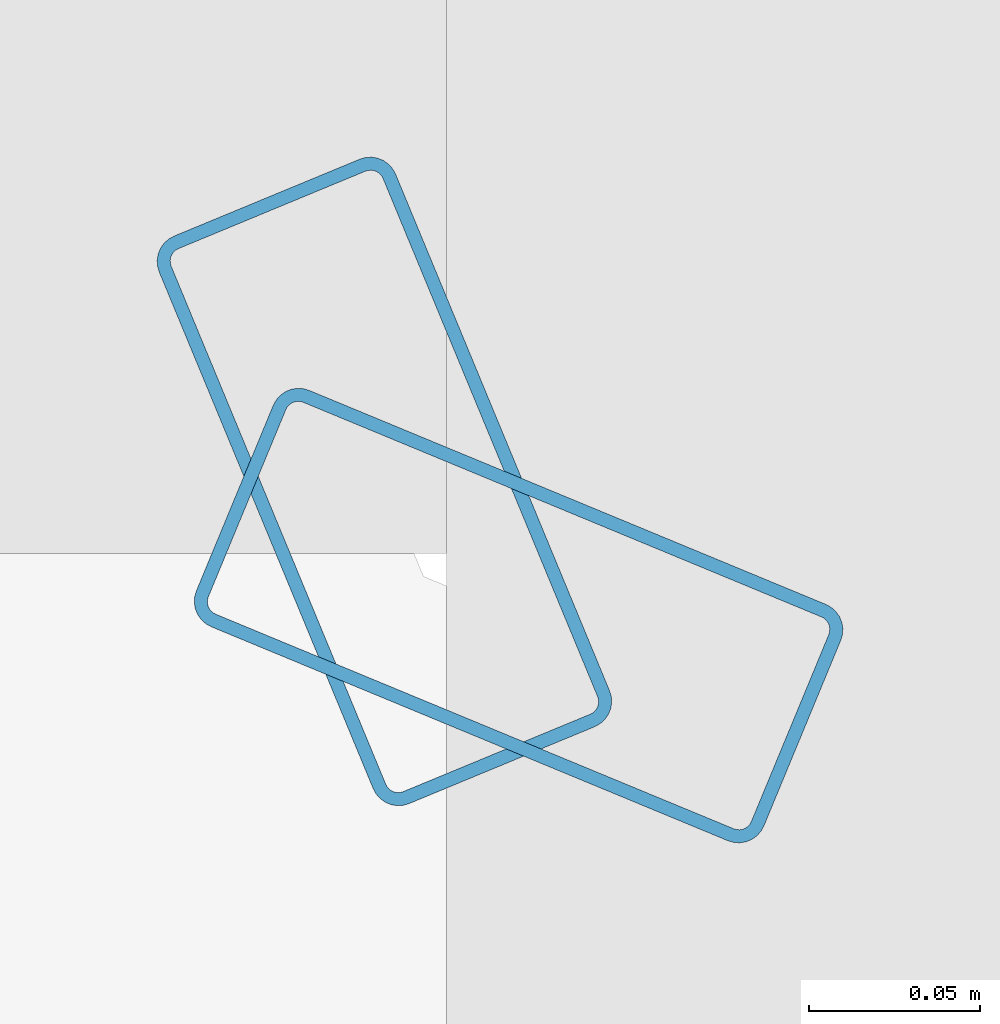
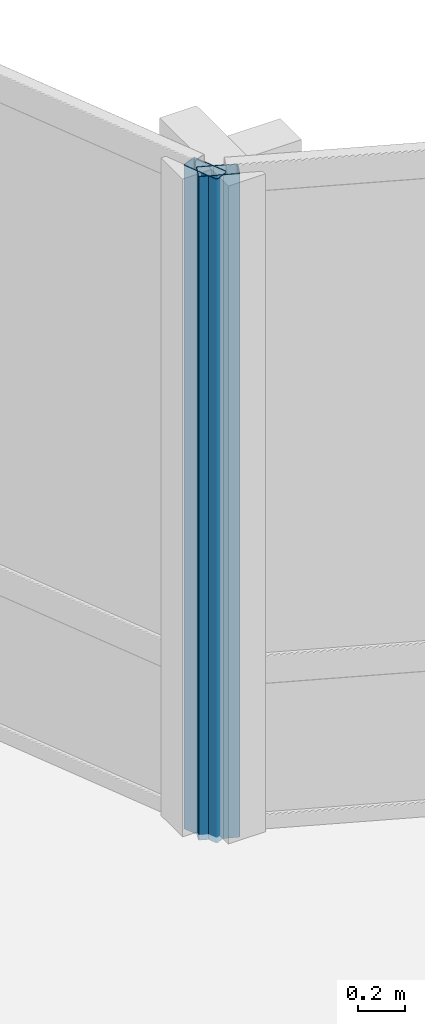
# One storey, part 8 of 28: 2 members, 2 elements without a shape of their own.
"""IFC4 building model written with IfcOpenShell, lengths in metres."""

from ifc_helpers import new_model, si_unit, direction, frame, origin, origin_2d, place, context, subcontext, project, spatial, hollow_rectangle, extrude, material, layer, layer_set, material_profile, profile_set, type_object, element, aggregate, save


model = new_model("IFC4")

# Units and contexts
model_context = context("Model", 3, precision=1e-05, world=origin(), true_north=direction((0.0, 1.0)))
body_context = subcontext(model_context, "Body", "Model", "MODEL_VIEW")
ifc_project = project(units=[si_unit("LENGTHUNIT", "METRE"), si_unit("AREAUNIT", "SQUARE_METRE"), si_unit("VOLUMEUNIT", "CUBIC_METRE"), si_unit("PLANEANGLEUNIT", "RADIAN"), si_unit("MASSUNIT", "GRAM", prefix="KILO")], contexts=[model_context])

# Site, building, storey
site_placement = place(None, origin())
site = spatial("IfcSite", under=ifc_project, at=site_placement, CompositionType="ELEMENT")
building_placement = place(site_placement, origin())
building = spatial("IfcBuilding", under=site, at=building_placement, Name="Solvaryn Broadcast Tower", CompositionType="ELEMENT")
storey_placement = place(building_placement, frame((0.0, 0.0, 209.89990234375)))
storey = spatial("IfcBuildingStorey", under=building, at=storey_placement, Name="L52", CompositionType="ELEMENT", Elevation=209.89990234375)

# Curtain wall, member
ifc_material_1 = material(Name="Aluminium and Terracotta Unitised Curtain Wall", Category="masonry")
ifc_layer = layer(ifc_material_1, 0.199951171875)
ifc_layer_set = layer_set([ifc_layer], Name="CW-SYS2-LOWMID")
curtain_wall_type = type_object("IfcCurtainWallType", Name="CW-SYS2-LOWMID", PredefinedType="NOTDEFINED", material=ifc_layer_set)
curtain_wall_1_placement = place(storey_placement, origin())
curtain_wall_1 = element("IfcCurtainWall", 1, at=curtain_wall_1_placement, inside=storey, type_object=curtain_wall_type, Name="L52 Curtain Wall CN1", PredefinedType="NOTDEFINED")
ifc_material_2 = material(Name="Anodised Aluminium 6063-T6", Category="aluminium")
ifc_material_profile = material_profile(ifc_material_2, hollow_rectangle(XDim=0.074951171875, YDim=0.179931640625, WallThickness=0.00390625, InnerFilletRadius=0.00390625, OuterFilletRadius=0.008056640625, at=origin_2d()))
ifc_profile_set = profile_set([ifc_material_profile], Name="Anodised Aluminium 6063-T6")
member_type = type_object("IfcMemberType", Name="CW-MUL-180", PredefinedType="MULLION", material=ifc_profile_set)
member_1_placement = place(storey_placement, frame((30.395751953125, 30.3564453125, 0.0), z_axis=(0.0, 0.0, 1.0), x_axis=(-0.382646127145, -0.923894983957, 0.0)))
member_1 = element("IfcMember", 2, at=member_1_placement, type_object=member_type, Name="CWS2 mullion 2", PredefinedType="MULLION", context=body_context, shape_type="SweptSolid", body=[
    extrude(hollow_rectangle(XDim=0.074951171875, YDim=0.179931640625, WallThickness=0.00390625, InnerFilletRadius=0.00390625, OuterFilletRadius=0.008056640625, at=origin_2d()), origin(), (0.0, 0.0, 1.0), 3.420166015625),
])
aggregate(curtain_wall_1, [member_1])

curtain_wall_2_placement = place(storey_placement, origin())
curtain_wall_2 = element("IfcCurtainWall", 3, at=curtain_wall_2_placement, inside=storey, type_object=curtain_wall_type, Name="L52 Curtain Wall CN2", PredefinedType="NOTDEFINED")
member_2_placement = place(storey_placement, frame((30.3564453125, 30.395751953125, 0.0), z_axis=(0.0, 0.0, 1.0), x_axis=(-0.923894983957, -0.382646127145, 0.0)))
member_2 = element("IfcMember", 4, at=member_2_placement, type_object=member_type, Name="CWS2 mullion 1", PredefinedType="MULLION", context=body_context, shape_type="SweptSolid", body=[
    extrude(hollow_rectangle(XDim=0.074951171875, YDim=0.179931640625, WallThickness=0.00390625, InnerFilletRadius=0.00390625, OuterFilletRadius=0.008056640625, at=origin_2d()), origin(), (0.0, 0.0, 1.0), 3.420166015625),
])
aggregate(curtain_wall_2, [member_2])

save(model, "model.ifc")
